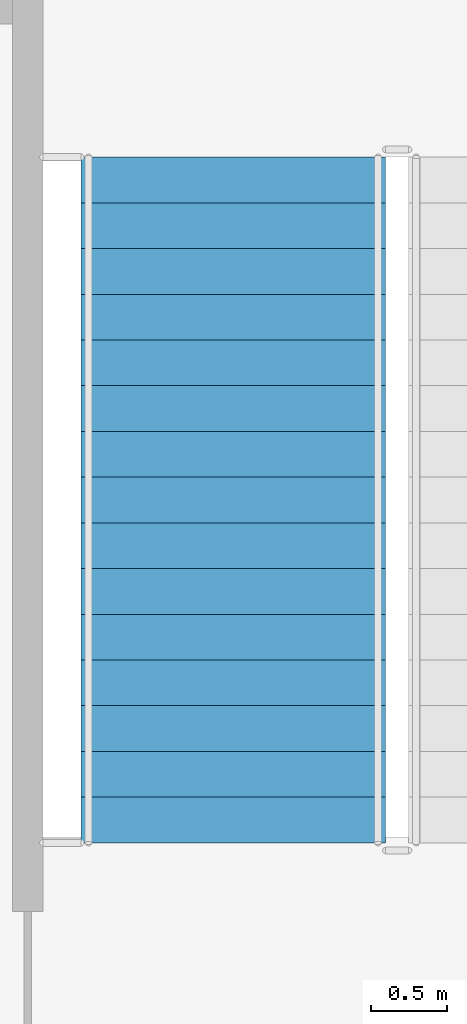
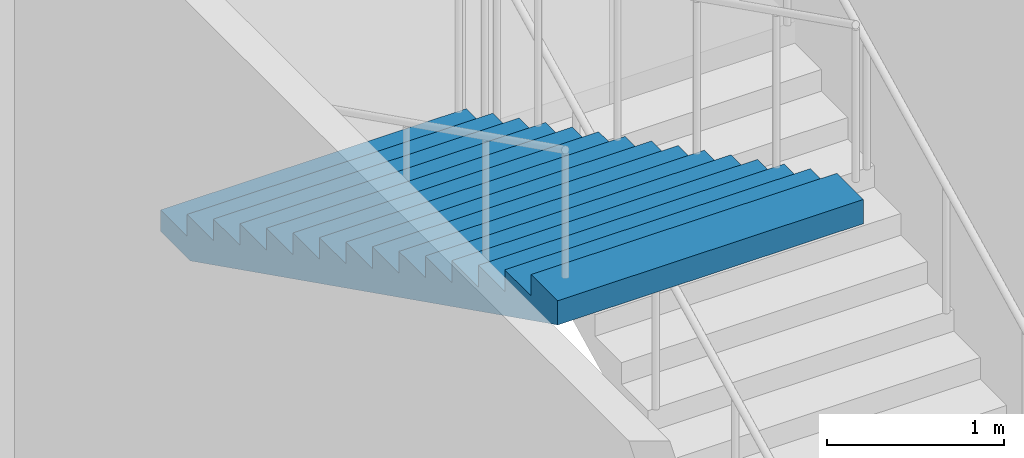
# One storey, part 56 of 91: 1 stair flight, 1 element without a shape of its own.
"""IFC4 building model written with IfcOpenShell, lengths in metres."""

from ifc_helpers import new_model, si_unit, direction, frame, origin, place, context, subcontext, project, spatial, faceted_brep, material, type_object, element, aggregate, save


model = new_model("IFC4")

# Units and contexts
model_context = context("Model", 3, precision=1e-05, world=origin(), true_north=direction((0.0, 1.0)))
body_context = subcontext(model_context, "Body", "Model", "MODEL_VIEW")
ifc_project = project(units=[si_unit("LENGTHUNIT", "METRE"), si_unit("AREAUNIT", "SQUARE_METRE"), si_unit("VOLUMEUNIT", "CUBIC_METRE"), si_unit("PLANEANGLEUNIT", "RADIAN"), si_unit("MASSUNIT", "GRAM", prefix="KILO")], contexts=[model_context])

# Site, building, storey
site_placement = place(None, origin())
site = spatial("IfcSite", under=ifc_project, at=site_placement, CompositionType="ELEMENT")
building_placement = place(site_placement, origin())
building = spatial("IfcBuilding", under=site, at=building_placement, Name="Kiln Court Media Centre", CompositionType="ELEMENT")
storey_placement = place(building_placement, frame((0.0, 0.0, 5.39990234375)))
storey = spatial("IfcBuildingStorey", under=building, at=storey_placement, Name="L01", CompositionType="ELEMENT", Elevation=5.39990234375)

# Stair, stair flight
ifc_material_1 = material(Name="Concrete C40/50", Category="concrete")
stair_type = type_object("IfcStairType", Name="Concrete C40/50 dog-leg stair 2000 wide, 150 riser", PredefinedType="HALF_TURN_STAIR", material=ifc_material_1)
stair_placement = place(storey_placement, origin())
stair = element("IfcStair", 1, at=stair_placement, inside=storey, type_object=stair_type, Name="ST-10 L01", PredefinedType="HALF_TURN_STAIR")
ifc_material_2 = material(Name="Concrete C40/50", Category="concrete")
stair_flight_type = type_object("IfcStairFlightType", Name="Concrete C40/50 stair flight 2000 wide, 150 riser, 300 going", PredefinedType="STRAIGHT", material=ifc_material_2)
stair_flight_placement = place(storey_placement, frame((97.449951171875, 32.5, 2.400146484375), z_axis=(0.0, 0.0, 1.0), x_axis=(0.0, -1.0, 0.0)))
stair_flight = element("IfcStairFlight", 2, at=stair_flight_placement, type_object=stair_flight_type, Name="L01-ST-5009 flight 5019", NumberOfRisers=16, NumberOfTreads=15, PredefinedType="STRAIGHT", RiserHeight=0.15, TreadLength=0.3, context=body_context, shape_type="Brep", body=[
    faceted_brep([(0.335205078125, -1.0, 0.0), (4.5, -1.0, 2.08251953125), (4.5, -1.0, 2.25), (4.199951171875, -1.0, 2.25), (4.199951171875, -1.0, 2.10009765625), (3.89990234375, -1.0, 2.10009765625), (3.89990234375, -1.0, 1.949951171875), (3.60009765625, -1.0, 1.949951171875), (3.60009765625, -1.0, 1.800048828125), (3.300048828125, -1.0, 1.800048828125), (3.300048828125, -1.0, 1.64990234375), (3.0, -1.0, 1.64990234375), (3.0, -1.0, 1.5), (2.699951171875, -1.0, 1.5), (2.699951171875, -1.0, 1.35009765625), (2.39990234375, -1.0, 1.35009765625), (2.39990234375, -1.0, 1.199951171875), (2.10009765625, -1.0, 1.199951171875), (2.10009765625, -1.0, 1.050048828125), (1.800048828125, -1.0, 1.050048828125), (1.800048828125, -1.0, 0.89990234375), (1.5, -1.0, 0.89990234375), (1.5, -1.0, 0.75), (1.199951171875, -1.0, 0.75), (1.199951171875, -1.0, 0.60009765625), (0.89990234375, -1.0, 0.60009765625), (0.89990234375, -1.0, 0.449951171875), (0.60009765625, -1.0, 0.449951171875), (0.60009765625, -1.0, 0.300048828125), (0.300048828125, -1.0, 0.300048828125), (0.300048828125, -1.0, 0.14990234375), (0.0, -1.0, 0.14990234375), (0.0, -1.0, 0.0), (0.0, 1.0, 0.0), (0.0, 1.0, 0.14990234375), (0.300048828125, 1.0, 0.14990234375), (0.300048828125, 1.0, 0.300048828125), (0.60009765625, 1.0, 0.300048828125), (0.60009765625, 1.0, 0.449951171875), (0.89990234375, 1.0, 0.449951171875), (0.89990234375, 1.0, 0.60009765625), (1.199951171875, 1.0, 0.60009765625), (1.199951171875, 1.0, 0.75), (1.5, 1.0, 0.75), (1.5, 1.0, 0.89990234375), (1.800048828125, 1.0, 0.89990234375), (1.800048828125, 1.0, 1.050048828125), (2.10009765625, 1.0, 1.050048828125), (2.10009765625, 1.0, 1.199951171875), (2.39990234375, 1.0, 1.199951171875), (2.39990234375, 1.0, 1.35009765625), (2.699951171875, 1.0, 1.35009765625), (2.699951171875, 1.0, 1.5), (3.0, 1.0, 1.5), (3.0, 1.0, 1.64990234375), (3.300048828125, 1.0, 1.64990234375), (3.300048828125, 1.0, 1.800048828125), (3.60009765625, 1.0, 1.800048828125), (3.60009765625, 1.0, 1.949951171875), (3.89990234375, 1.0, 1.949951171875), (3.89990234375, 1.0, 2.10009765625), (4.199951171875, 1.0, 2.10009765625), (4.199951171875, 1.0, 2.25), (4.5, 1.0, 2.25), (4.5, 1.0, 2.08251953125), (0.335205078125, 1.0, 0.0), (4.5, 0.10009765625, 2.08251953125), (0.335205078125, 0.10009765625, 0.0), (4.5, 0.080078125, 2.08251953125), (0.335205078125, 0.080078125, 0.0), (4.5, 0.06005859375, 2.08251953125), (0.335205078125, 0.06005859375, 0.0), (4.5, 0.0400390625, 2.08251953125), (0.335205078125, 0.0400390625, 0.0), (4.5, 0.02001953125, 2.08251953125), (0.335205078125, 0.02001953125, 0.0), (4.5, 0.0, 2.08251953125), (0.335205078125, 0.0, 0.0), (4.5, -0.02001953125, 2.08251953125), (0.335205078125, -0.02001953125, 0.0), (4.5, -0.0400390625, 2.08251953125), (0.335205078125, -0.0400390625, 0.0), (4.5, -0.06005859375, 2.08251953125), (0.335205078125, -0.06005859375, 0.0), (4.5, -0.080078125, 2.08251953125), (0.335205078125, -0.080078125, 0.0), (4.5, -0.10009765625, 2.08251953125), (0.335205078125, -0.10009765625, 0.0), (4.5, 0.10009765625, 2.25), (4.5, 0.080078125, 2.25), (4.5, 0.06005859375, 2.25), (4.5, 0.0400390625, 2.25), (4.5, 0.02001953125, 2.25), (4.5, 0.0, 2.25), (4.5, -0.02001953125, 2.25), (4.5, -0.0400390625, 2.25), (4.5, -0.06005859375, 2.25), (4.5, -0.080078125, 2.25), (4.5, -0.10009765625, 2.25), (4.199951171875, 0.10009765625, 2.25), (4.199951171875, 0.080078125, 2.25), (4.199951171875, 0.06005859375, 2.25), (4.199951171875, 0.0400390625, 2.25), (4.199951171875, 0.02001953125, 2.25), (4.199951171875, 0.0, 2.25), (4.199951171875, -0.02001953125, 2.25), (4.199951171875, -0.0400390625, 2.25), (4.199951171875, -0.06005859375, 2.25), (4.199951171875, -0.080078125, 2.25), (4.199951171875, -0.10009765625, 2.25), (4.199951171875, 0.10009765625, 2.10009765625), (4.199951171875, 0.080078125, 2.10009765625), (4.199951171875, 0.06005859375, 2.10009765625), (4.199951171875, 0.0400390625, 2.10009765625), (4.199951171875, 0.02001953125, 2.10009765625), (4.199951171875, 0.0, 2.10009765625), (4.199951171875, -0.02001953125, 2.10009765625), (4.199951171875, -0.0400390625, 2.10009765625), (4.199951171875, -0.06005859375, 2.10009765625), (4.199951171875, -0.080078125, 2.10009765625), (4.199951171875, -0.10009765625, 2.10009765625), (3.89990234375, 0.10009765625, 2.10009765625), (3.89990234375, 0.080078125, 2.10009765625), (3.89990234375, 0.06005859375, 2.10009765625), (3.89990234375, 0.0400390625, 2.10009765625), (3.89990234375, 0.02001953125, 2.10009765625), (3.89990234375, 0.0, 2.10009765625), (3.89990234375, -0.02001953125, 2.10009765625), (3.89990234375, -0.0400390625, 2.10009765625), (3.89990234375, -0.06005859375, 2.10009765625), (3.89990234375, -0.080078125, 2.10009765625), (3.89990234375, -0.10009765625, 2.10009765625), (3.89990234375, 0.10009765625, 1.949951171875), (3.89990234375, 0.080078125, 1.949951171875), (3.89990234375, 0.06005859375, 1.949951171875), (3.89990234375, 0.0400390625, 1.949951171875), (3.89990234375, 0.02001953125, 1.949951171875), (3.89990234375, 0.0, 1.949951171875), (3.89990234375, -0.02001953125, 1.949951171875), (3.89990234375, -0.0400390625, 1.949951171875), (3.89990234375, -0.06005859375, 1.949951171875), (3.89990234375, -0.080078125, 1.949951171875), (3.89990234375, -0.10009765625, 1.949951171875), (3.60009765625, 0.10009765625, 1.949951171875), (3.60009765625, 0.080078125, 1.949951171875), (3.60009765625, 0.06005859375, 1.949951171875), (3.60009765625, 0.0400390625, 1.949951171875), (3.60009765625, 0.02001953125, 1.949951171875), (3.60009765625, 0.0, 1.949951171875), (3.60009765625, -0.02001953125, 1.949951171875), (3.60009765625, -0.0400390625, 1.949951171875), (3.60009765625, -0.06005859375, 1.949951171875), (3.60009765625, -0.080078125, 1.949951171875), (3.60009765625, -0.10009765625, 1.949951171875), (3.60009765625, 0.10009765625, 1.800048828125), (3.60009765625, 0.080078125, 1.800048828125), (3.60009765625, 0.06005859375, 1.800048828125), (3.60009765625, 0.0400390625, 1.800048828125), (3.60009765625, 0.02001953125, 1.800048828125), (3.60009765625, 0.0, 1.800048828125), (3.60009765625, -0.02001953125, 1.800048828125), (3.60009765625, -0.0400390625, 1.800048828125), (3.60009765625, -0.06005859375, 1.800048828125), (3.60009765625, -0.080078125, 1.800048828125), (3.60009765625, -0.10009765625, 1.800048828125), (3.300048828125, 0.10009765625, 1.800048828125), (3.300048828125, 0.080078125, 1.800048828125), (3.300048828125, 0.06005859375, 1.800048828125), (3.300048828125, 0.0400390625, 1.800048828125), (3.300048828125, 0.02001953125, 1.800048828125), (3.300048828125, 0.0, 1.800048828125), (3.300048828125, -0.02001953125, 1.800048828125), (3.300048828125, -0.0400390625, 1.800048828125), (3.300048828125, -0.06005859375, 1.800048828125), (3.300048828125, -0.080078125, 1.800048828125), (3.300048828125, -0.10009765625, 1.800048828125), (3.300048828125, 0.10009765625, 1.64990234375), (3.300048828125, 0.080078125, 1.64990234375), (3.300048828125, 0.06005859375, 1.64990234375), (3.300048828125, 0.0400390625, 1.64990234375), (3.300048828125, 0.02001953125, 1.64990234375), (3.300048828125, 0.0, 1.64990234375), (3.300048828125, -0.02001953125, 1.64990234375), (3.300048828125, -0.0400390625, 1.64990234375), (3.300048828125, -0.06005859375, 1.64990234375), (3.300048828125, -0.080078125, 1.64990234375), (3.300048828125, -0.10009765625, 1.64990234375), (3.0, 0.10009765625, 1.64990234375), (3.0, 0.080078125, 1.64990234375), (3.0, 0.06005859375, 1.64990234375), (3.0, 0.0400390625, 1.64990234375), (3.0, 0.02001953125, 1.64990234375), (3.0, 0.0, 1.64990234375), (3.0, -0.02001953125, 1.64990234375), (3.0, -0.0400390625, 1.64990234375), (3.0, -0.06005859375, 1.64990234375), (3.0, -0.080078125, 1.64990234375), (3.0, -0.10009765625, 1.64990234375), (3.0, 0.10009765625, 1.5), (3.0, 0.080078125, 1.5), (3.0, 0.06005859375, 1.5), (3.0, 0.0400390625, 1.5), (3.0, 0.02001953125, 1.5), (3.0, 0.0, 1.5), (3.0, -0.02001953125, 1.5), (3.0, -0.0400390625, 1.5), (3.0, -0.06005859375, 1.5), (3.0, -0.080078125, 1.5), (3.0, -0.10009765625, 1.5), (2.699951171875, 0.10009765625, 1.5), (2.699951171875, 0.080078125, 1.5), (2.699951171875, 0.06005859375, 1.5), (2.699951171875, 0.0400390625, 1.5), (2.699951171875, 0.02001953125, 1.5), (2.699951171875, 0.0, 1.5), (2.699951171875, -0.02001953125, 1.5), (2.699951171875, -0.0400390625, 1.5), (2.699951171875, -0.06005859375, 1.5), (2.699951171875, -0.080078125, 1.5), (2.699951171875, -0.10009765625, 1.5), (2.699951171875, 0.10009765625, 1.35009765625), (2.699951171875, 0.080078125, 1.35009765625), (2.699951171875, 0.06005859375, 1.35009765625), (2.699951171875, 0.0400390625, 1.35009765625), (2.699951171875, 0.02001953125, 1.35009765625), (2.699951171875, 0.0, 1.35009765625), (2.699951171875, -0.02001953125, 1.35009765625), (2.699951171875, -0.0400390625, 1.35009765625), (2.699951171875, -0.06005859375, 1.35009765625), (2.699951171875, -0.080078125, 1.35009765625), (2.699951171875, -0.10009765625, 1.35009765625), (2.39990234375, 0.10009765625, 1.35009765625), (2.39990234375, 0.080078125, 1.35009765625), (2.39990234375, 0.06005859375, 1.35009765625), (2.39990234375, 0.0400390625, 1.35009765625), (2.39990234375, 0.02001953125, 1.35009765625), (2.39990234375, 0.0, 1.35009765625), (2.39990234375, -0.02001953125, 1.35009765625), (2.39990234375, -0.0400390625, 1.35009765625), (2.39990234375, -0.06005859375, 1.35009765625), (2.39990234375, -0.080078125, 1.35009765625), (2.39990234375, -0.10009765625, 1.35009765625), (2.39990234375, 0.10009765625, 1.199951171875), (2.39990234375, 0.080078125, 1.199951171875), (2.39990234375, 0.06005859375, 1.199951171875), (2.39990234375, 0.0400390625, 1.199951171875), (2.39990234375, 0.02001953125, 1.199951171875), (2.39990234375, 0.0, 1.199951171875), (2.39990234375, -0.02001953125, 1.199951171875), (2.39990234375, -0.0400390625, 1.199951171875), (2.39990234375, -0.06005859375, 1.199951171875), (2.39990234375, -0.080078125, 1.199951171875), (2.39990234375, -0.10009765625, 1.199951171875), (2.10009765625, 0.10009765625, 1.199951171875), (2.10009765625, 0.080078125, 1.199951171875), (2.10009765625, 0.06005859375, 1.199951171875), (2.10009765625, 0.0400390625, 1.199951171875), (2.10009765625, 0.02001953125, 1.199951171875), (2.10009765625, 0.0, 1.199951171875), (2.10009765625, -0.02001953125, 1.199951171875), (2.10009765625, -0.0400390625, 1.199951171875), (2.10009765625, -0.06005859375, 1.199951171875), (2.10009765625, -0.080078125, 1.199951171875), (2.10009765625, -0.10009765625, 1.199951171875), (2.10009765625, 0.10009765625, 1.050048828125), (2.10009765625, 0.080078125, 1.050048828125), (2.10009765625, 0.06005859375, 1.050048828125), (2.10009765625, 0.0400390625, 1.050048828125), (2.10009765625, 0.02001953125, 1.050048828125), (2.10009765625, 0.0, 1.050048828125), (2.10009765625, -0.02001953125, 1.050048828125), (2.10009765625, -0.0400390625, 1.050048828125), (2.10009765625, -0.06005859375, 1.050048828125), (2.10009765625, -0.080078125, 1.050048828125), (2.10009765625, -0.10009765625, 1.050048828125), (1.800048828125, 0.10009765625, 1.050048828125), (1.800048828125, 0.080078125, 1.050048828125), (1.800048828125, 0.06005859375, 1.050048828125), (1.800048828125, 0.0400390625, 1.050048828125), (1.800048828125, 0.02001953125, 1.050048828125), (1.800048828125, 0.0, 1.050048828125), (1.800048828125, -0.02001953125, 1.050048828125), (1.800048828125, -0.0400390625, 1.050048828125), (1.800048828125, -0.06005859375, 1.050048828125), (1.800048828125, -0.080078125, 1.050048828125), (1.800048828125, -0.10009765625, 1.050048828125), (1.800048828125, 0.10009765625, 0.89990234375), (1.800048828125, 0.080078125, 0.89990234375), (1.800048828125, 0.06005859375, 0.89990234375), (1.800048828125, 0.0400390625, 0.89990234375), (1.800048828125, 0.02001953125, 0.89990234375), (1.800048828125, 0.0, 0.89990234375), (1.800048828125, -0.02001953125, 0.89990234375), (1.800048828125, -0.0400390625, 0.89990234375), (1.800048828125, -0.06005859375, 0.89990234375), (1.800048828125, -0.080078125, 0.89990234375), (1.800048828125, -0.10009765625, 0.89990234375), (1.5, 0.10009765625, 0.89990234375), (1.5, 0.080078125, 0.89990234375), (1.5, 0.06005859375, 0.89990234375), (1.5, 0.0400390625, 0.89990234375), (1.5, 0.02001953125, 0.89990234375), (1.5, 0.0, 0.89990234375), (1.5, -0.02001953125, 0.89990234375), (1.5, -0.0400390625, 0.89990234375), (1.5, -0.06005859375, 0.89990234375), (1.5, -0.080078125, 0.89990234375), (1.5, -0.10009765625, 0.89990234375), (1.5, 0.10009765625, 0.75), (1.5, 0.080078125, 0.75), (1.5, 0.06005859375, 0.75), (1.5, 0.0400390625, 0.75), (1.5, 0.02001953125, 0.75), (1.5, 0.0, 0.75), (1.5, -0.02001953125, 0.75), (1.5, -0.0400390625, 0.75), (1.5, -0.06005859375, 0.75), (1.5, -0.080078125, 0.75), (1.5, -0.10009765625, 0.75), (1.199951171875, 0.10009765625, 0.75), (1.199951171875, 0.080078125, 0.75), (1.199951171875, 0.06005859375, 0.75), (1.199951171875, 0.0400390625, 0.75), (1.199951171875, 0.02001953125, 0.75), (1.199951171875, 0.0, 0.75), (1.199951171875, -0.02001953125, 0.75), (1.199951171875, -0.0400390625, 0.75), (1.199951171875, -0.06005859375, 0.75), (1.199951171875, -0.080078125, 0.75), (1.199951171875, -0.10009765625, 0.75), (1.199951171875, 0.10009765625, 0.60009765625), (1.199951171875, 0.080078125, 0.60009765625), (1.199951171875, 0.06005859375, 0.60009765625), (1.199951171875, 0.0400390625, 0.60009765625), (1.199951171875, 0.02001953125, 0.60009765625), (1.199951171875, 0.0, 0.60009765625), (1.199951171875, -0.02001953125, 0.60009765625), (1.199951171875, -0.0400390625, 0.60009765625), (1.199951171875, -0.06005859375, 0.60009765625), (1.199951171875, -0.080078125, 0.60009765625), (1.199951171875, -0.10009765625, 0.60009765625), (0.89990234375, 0.10009765625, 0.60009765625), (0.89990234375, 0.080078125, 0.60009765625), (0.89990234375, 0.06005859375, 0.60009765625), (0.89990234375, 0.0400390625, 0.60009765625), (0.89990234375, 0.02001953125, 0.60009765625), (0.89990234375, 0.0, 0.60009765625), (0.89990234375, -0.02001953125, 0.60009765625), (0.89990234375, -0.0400390625, 0.60009765625), (0.89990234375, -0.06005859375, 0.60009765625), (0.89990234375, -0.080078125, 0.60009765625), (0.89990234375, -0.10009765625, 0.60009765625), (0.89990234375, 0.10009765625, 0.449951171875), (0.89990234375, 0.080078125, 0.449951171875), (0.89990234375, 0.06005859375, 0.449951171875), (0.89990234375, 0.0400390625, 0.449951171875), (0.89990234375, 0.02001953125, 0.449951171875), (0.89990234375, 0.0, 0.449951171875), (0.89990234375, -0.02001953125, 0.449951171875), (0.89990234375, -0.0400390625, 0.449951171875), (0.89990234375, -0.06005859375, 0.449951171875), (0.89990234375, -0.080078125, 0.449951171875), (0.89990234375, -0.10009765625, 0.449951171875), (0.60009765625, 0.10009765625, 0.449951171875), (0.60009765625, 0.080078125, 0.449951171875), (0.60009765625, 0.06005859375, 0.449951171875), (0.60009765625, 0.0400390625, 0.449951171875), (0.60009765625, 0.02001953125, 0.449951171875), (0.60009765625, 0.0, 0.449951171875), (0.60009765625, -0.02001953125, 0.449951171875), (0.60009765625, -0.0400390625, 0.449951171875), (0.60009765625, -0.06005859375, 0.449951171875), (0.60009765625, -0.080078125, 0.449951171875), (0.60009765625, -0.10009765625, 0.449951171875), (0.60009765625, 0.10009765625, 0.300048828125), (0.60009765625, 0.080078125, 0.300048828125), (0.60009765625, 0.06005859375, 0.300048828125), (0.60009765625, 0.0400390625, 0.300048828125), (0.60009765625, 0.02001953125, 0.300048828125), (0.60009765625, 0.0, 0.300048828125), (0.60009765625, -0.02001953125, 0.300048828125), (0.60009765625, -0.0400390625, 0.300048828125), (0.60009765625, -0.06005859375, 0.300048828125), (0.60009765625, -0.080078125, 0.300048828125), (0.60009765625, -0.10009765625, 0.300048828125), (0.300048828125, 0.10009765625, 0.300048828125), (0.300048828125, 0.080078125, 0.300048828125), (0.300048828125, 0.06005859375, 0.300048828125), (0.300048828125, 0.0400390625, 0.300048828125), (0.300048828125, 0.02001953125, 0.300048828125), (0.300048828125, 0.0, 0.300048828125), (0.300048828125, -0.02001953125, 0.300048828125), (0.300048828125, -0.0400390625, 0.300048828125), (0.300048828125, -0.06005859375, 0.300048828125), (0.300048828125, -0.080078125, 0.300048828125), (0.300048828125, -0.10009765625, 0.300048828125), (0.300048828125, 0.10009765625, 0.14990234375), (0.300048828125, 0.080078125, 0.14990234375), (0.300048828125, 0.06005859375, 0.14990234375), (0.300048828125, 0.0400390625, 0.14990234375), (0.300048828125, 0.02001953125, 0.14990234375), (0.300048828125, 0.0, 0.14990234375), (0.300048828125, -0.02001953125, 0.14990234375), (0.300048828125, -0.0400390625, 0.14990234375), (0.300048828125, -0.06005859375, 0.14990234375), (0.300048828125, -0.080078125, 0.14990234375), (0.300048828125, -0.10009765625, 0.14990234375), (0.0, 0.10009765625, 0.14990234375), (0.0, 0.080078125, 0.14990234375), (0.0, 0.06005859375, 0.14990234375), (0.0, 0.0400390625, 0.14990234375), (0.0, 0.02001953125, 0.14990234375), (0.0, 0.0, 0.14990234375), (0.0, -0.02001953125, 0.14990234375), (0.0, -0.0400390625, 0.14990234375), (0.0, -0.06005859375, 0.14990234375), (0.0, -0.080078125, 0.14990234375), (0.0, -0.10009765625, 0.14990234375), (0.0, 0.10009765625, 0.0), (0.0, 0.080078125, 0.0), (0.0, 0.06005859375, 0.0), (0.0, 0.0400390625, 0.0), (0.0, 0.02001953125, 0.0), (0.0, 0.0, 0.0), (0.0, -0.02001953125, 0.0), (0.0, -0.0400390625, 0.0), (0.0, -0.06005859375, 0.0), (0.0, -0.080078125, 0.0), (0.0, -0.10009765625, 0.0)], [[[0, 1, 2, 3, 4, 5, 6, 7, 8, 9, 10, 11, 12, 13, 14, 15, 16, 17, 18, 19, 20, 21, 22, 23, 24, 25, 26, 27, 28, 29, 30, 31, 32]], [[33, 34, 35, 36, 37, 38, 39, 40, 41, 42, 43, 44, 45, 46, 47, 48, 49, 50, 51, 52, 53, 54, 55, 56, 57, 58, 59, 60, 61, 62, 63, 64, 65]], [[65, 64, 66, 67]], [[67, 66, 68, 69]], [[69, 68, 70, 71]], [[71, 70, 72, 73]], [[73, 72, 74, 75]], [[75, 74, 76, 77]], [[77, 76, 78, 79]], [[79, 78, 80, 81]], [[81, 80, 82, 83]], [[83, 82, 84, 85]], [[85, 84, 86, 87]], [[87, 86, 1, 0]], [[64, 63, 88, 66]], [[66, 88, 89, 68]], [[68, 89, 90, 70]], [[70, 90, 91, 72]], [[72, 91, 92, 74]], [[74, 92, 93, 76]], [[76, 93, 94, 78]], [[78, 94, 95, 80]], [[80, 95, 96, 82]], [[82, 96, 97, 84]], [[84, 97, 98, 86]], [[86, 98, 2, 1]], [[63, 62, 99, 88]], [[88, 99, 100, 89]], [[89, 100, 101, 90]], [[90, 101, 102, 91]], [[91, 102, 103, 92]], [[92, 103, 104, 93]], [[93, 104, 105, 94]], [[94, 105, 106, 95]], [[95, 106, 107, 96]], [[96, 107, 108, 97]], [[97, 108, 109, 98]], [[98, 109, 3, 2]], [[62, 61, 110, 99]], [[99, 110, 111, 100]], [[100, 111, 112, 101]], [[101, 112, 113, 102]], [[102, 113, 114, 103]], [[103, 114, 115, 104]], [[104, 115, 116, 105]], [[105, 116, 117, 106]], [[106, 117, 118, 107]], [[107, 118, 119, 108]], [[108, 119, 120, 109]], [[109, 120, 4, 3]], [[61, 60, 121, 110]], [[110, 121, 122, 111]], [[111, 122, 123, 112]], [[112, 123, 124, 113]], [[113, 124, 125, 114]], [[114, 125, 126, 115]], [[115, 126, 127, 116]], [[116, 127, 128, 117]], [[117, 128, 129, 118]], [[118, 129, 130, 119]], [[119, 130, 131, 120]], [[120, 131, 5, 4]], [[60, 59, 132, 121]], [[121, 132, 133, 122]], [[122, 133, 134, 123]], [[123, 134, 135, 124]], [[124, 135, 136, 125]], [[125, 136, 137, 126]], [[126, 137, 138, 127]], [[127, 138, 139, 128]], [[128, 139, 140, 129]], [[129, 140, 141, 130]], [[130, 141, 142, 131]], [[131, 142, 6, 5]], [[59, 58, 143, 132]], [[132, 143, 144, 133]], [[133, 144, 145, 134]], [[134, 145, 146, 135]], [[135, 146, 147, 136]], [[136, 147, 148, 137]], [[137, 148, 149, 138]], [[138, 149, 150, 139]], [[139, 150, 151, 140]], [[140, 151, 152, 141]], [[141, 152, 153, 142]], [[142, 153, 7, 6]], [[58, 57, 154, 143]], [[143, 154, 155, 144]], [[144, 155, 156, 145]], [[145, 156, 157, 146]], [[146, 157, 158, 147]], [[147, 158, 159, 148]], [[148, 159, 160, 149]], [[149, 160, 161, 150]], [[150, 161, 162, 151]], [[151, 162, 163, 152]], [[152, 163, 164, 153]], [[153, 164, 8, 7]], [[57, 56, 165, 154]], [[154, 165, 166, 155]], [[155, 166, 167, 156]], [[156, 167, 168, 157]], [[157, 168, 169, 158]], [[158, 169, 170, 159]], [[159, 170, 171, 160]], [[160, 171, 172, 161]], [[161, 172, 173, 162]], [[162, 173, 174, 163]], [[163, 174, 175, 164]], [[164, 175, 9, 8]], [[56, 55, 176, 165]], [[165, 176, 177, 166]], [[166, 177, 178, 167]], [[167, 178, 179, 168]], [[168, 179, 180, 169]], [[169, 180, 181, 170]], [[170, 181, 182, 171]], [[171, 182, 183, 172]], [[172, 183, 184, 173]], [[173, 184, 185, 174]], [[174, 185, 186, 175]], [[175, 186, 10, 9]], [[55, 54, 187, 176]], [[176, 187, 188, 177]], [[177, 188, 189, 178]], [[178, 189, 190, 179]], [[179, 190, 191, 180]], [[180, 191, 192, 181]], [[181, 192, 193, 182]], [[182, 193, 194, 183]], [[183, 194, 195, 184]], [[184, 195, 196, 185]], [[185, 196, 197, 186]], [[186, 197, 11, 10]], [[54, 53, 198, 187]], [[187, 198, 199, 188]], [[188, 199, 200, 189]], [[189, 200, 201, 190]], [[190, 201, 202, 191]], [[191, 202, 203, 192]], [[192, 203, 204, 193]], [[193, 204, 205, 194]], [[194, 205, 206, 195]], [[195, 206, 207, 196]], [[196, 207, 208, 197]], [[197, 208, 12, 11]], [[53, 52, 209, 198]], [[198, 209, 210, 199]], [[199, 210, 211, 200]], [[200, 211, 212, 201]], [[201, 212, 213, 202]], [[202, 213, 214, 203]], [[203, 214, 215, 204]], [[204, 215, 216, 205]], [[205, 216, 217, 206]], [[206, 217, 218, 207]], [[207, 218, 219, 208]], [[208, 219, 13, 12]], [[52, 51, 220, 209]], [[209, 220, 221, 210]], [[210, 221, 222, 211]], [[211, 222, 223, 212]], [[212, 223, 224, 213]], [[213, 224, 225, 214]], [[214, 225, 226, 215]], [[215, 226, 227, 216]], [[216, 227, 228, 217]], [[217, 228, 229, 218]], [[218, 229, 230, 219]], [[219, 230, 14, 13]], [[51, 50, 231, 220]], [[220, 231, 232, 221]], [[221, 232, 233, 222]], [[222, 233, 234, 223]], [[223, 234, 235, 224]], [[224, 235, 236, 225]], [[225, 236, 237, 226]], [[226, 237, 238, 227]], [[227, 238, 239, 228]], [[228, 239, 240, 229]], [[229, 240, 241, 230]], [[230, 241, 15, 14]], [[50, 49, 242, 231]], [[231, 242, 243, 232]], [[232, 243, 244, 233]], [[233, 244, 245, 234]], [[234, 245, 246, 235]], [[235, 246, 247, 236]], [[236, 247, 248, 237]], [[237, 248, 249, 238]], [[238, 249, 250, 239]], [[239, 250, 251, 240]], [[240, 251, 252, 241]], [[241, 252, 16, 15]], [[49, 48, 253, 242]], [[242, 253, 254, 243]], [[243, 254, 255, 244]], [[244, 255, 256, 245]], [[245, 256, 257, 246]], [[246, 257, 258, 247]], [[247, 258, 259, 248]], [[248, 259, 260, 249]], [[249, 260, 261, 250]], [[250, 261, 262, 251]], [[251, 262, 263, 252]], [[252, 263, 17, 16]], [[48, 47, 264, 253]], [[253, 264, 265, 254]], [[254, 265, 266, 255]], [[255, 266, 267, 256]], [[256, 267, 268, 257]], [[257, 268, 269, 258]], [[258, 269, 270, 259]], [[259, 270, 271, 260]], [[260, 271, 272, 261]], [[261, 272, 273, 262]], [[262, 273, 274, 263]], [[263, 274, 18, 17]], [[47, 46, 275, 264]], [[264, 275, 276, 265]], [[265, 276, 277, 266]], [[266, 277, 278, 267]], [[267, 278, 279, 268]], [[268, 279, 280, 269]], [[269, 280, 281, 270]], [[270, 281, 282, 271]], [[271, 282, 283, 272]], [[272, 283, 284, 273]], [[273, 284, 285, 274]], [[274, 285, 19, 18]], [[46, 45, 286, 275]], [[275, 286, 287, 276]], [[276, 287, 288, 277]], [[277, 288, 289, 278]], [[278, 289, 290, 279]], [[279, 290, 291, 280]], [[280, 291, 292, 281]], [[281, 292, 293, 282]], [[282, 293, 294, 283]], [[283, 294, 295, 284]], [[284, 295, 296, 285]], [[285, 296, 20, 19]], [[45, 44, 297, 286]], [[286, 297, 298, 287]], [[287, 298, 299, 288]], [[288, 299, 300, 289]], [[289, 300, 301, 290]], [[290, 301, 302, 291]], [[291, 302, 303, 292]], [[292, 303, 304, 293]], [[293, 304, 305, 294]], [[294, 305, 306, 295]], [[295, 306, 307, 296]], [[296, 307, 21, 20]], [[44, 43, 308, 297]], [[297, 308, 309, 298]], [[298, 309, 310, 299]], [[299, 310, 311, 300]], [[300, 311, 312, 301]], [[301, 312, 313, 302]], [[302, 313, 314, 303]], [[303, 314, 315, 304]], [[304, 315, 316, 305]], [[305, 316, 317, 306]], [[306, 317, 318, 307]], [[307, 318, 22, 21]], [[43, 42, 319, 308]], [[308, 319, 320, 309]], [[309, 320, 321, 310]], [[310, 321, 322, 311]], [[311, 322, 323, 312]], [[312, 323, 324, 313]], [[313, 324, 325, 314]], [[314, 325, 326, 315]], [[315, 326, 327, 316]], [[316, 327, 328, 317]], [[317, 328, 329, 318]], [[318, 329, 23, 22]], [[42, 41, 330, 319]], [[319, 330, 331, 320]], [[320, 331, 332, 321]], [[321, 332, 333, 322]], [[322, 333, 334, 323]], [[323, 334, 335, 324]], [[324, 335, 336, 325]], [[325, 336, 337, 326]], [[326, 337, 338, 327]], [[327, 338, 339, 328]], [[328, 339, 340, 329]], [[329, 340, 24, 23]], [[41, 40, 341, 330]], [[330, 341, 342, 331]], [[331, 342, 343, 332]], [[332, 343, 344, 333]], [[333, 344, 345, 334]], [[334, 345, 346, 335]], [[335, 346, 347, 336]], [[336, 347, 348, 337]], [[337, 348, 349, 338]], [[338, 349, 350, 339]], [[339, 350, 351, 340]], [[340, 351, 25, 24]], [[40, 39, 352, 341]], [[341, 352, 353, 342]], [[342, 353, 354, 343]], [[343, 354, 355, 344]], [[344, 355, 356, 345]], [[345, 356, 357, 346]], [[346, 357, 358, 347]], [[347, 358, 359, 348]], [[348, 359, 360, 349]], [[349, 360, 361, 350]], [[350, 361, 362, 351]], [[351, 362, 26, 25]], [[39, 38, 363, 352]], [[352, 363, 364, 353]], [[353, 364, 365, 354]], [[354, 365, 366, 355]], [[355, 366, 367, 356]], [[356, 367, 368, 357]], [[357, 368, 369, 358]], [[358, 369, 370, 359]], [[359, 370, 371, 360]], [[360, 371, 372, 361]], [[361, 372, 373, 362]], [[362, 373, 27, 26]], [[38, 37, 374, 363]], [[363, 374, 375, 364]], [[364, 375, 376, 365]], [[365, 376, 377, 366]], [[366, 377, 378, 367]], [[367, 378, 379, 368]], [[368, 379, 380, 369]], [[369, 380, 381, 370]], [[370, 381, 382, 371]], [[371, 382, 383, 372]], [[372, 383, 384, 373]], [[373, 384, 28, 27]], [[37, 36, 385, 374]], [[374, 385, 386, 375]], [[375, 386, 387, 376]], [[376, 387, 388, 377]], [[377, 388, 389, 378]], [[378, 389, 390, 379]], [[379, 390, 391, 380]], [[380, 391, 392, 381]], [[381, 392, 393, 382]], [[382, 393, 394, 383]], [[383, 394, 395, 384]], [[384, 395, 29, 28]], [[36, 35, 396, 385]], [[385, 396, 397, 386]], [[386, 397, 398, 387]], [[387, 398, 399, 388]], [[388, 399, 400, 389]], [[389, 400, 401, 390]], [[390, 401, 402, 391]], [[391, 402, 403, 392]], [[392, 403, 404, 393]], [[393, 404, 405, 394]], [[394, 405, 406, 395]], [[395, 406, 30, 29]], [[35, 34, 407, 396]], [[396, 407, 408, 397]], [[397, 408, 409, 398]], [[398, 409, 410, 399]], [[399, 410, 411, 400]], [[400, 411, 412, 401]], [[401, 412, 413, 402]], [[402, 413, 414, 403]], [[403, 414, 415, 404]], [[404, 415, 416, 405]], [[405, 416, 417, 406]], [[406, 417, 31, 30]], [[34, 33, 418, 407]], [[407, 418, 419, 408]], [[408, 419, 420, 409]], [[409, 420, 421, 410]], [[410, 421, 422, 411]], [[411, 422, 423, 412]], [[412, 423, 424, 413]], [[413, 424, 425, 414]], [[414, 425, 426, 415]], [[415, 426, 427, 416]], [[416, 427, 428, 417]], [[417, 428, 32, 31]], [[33, 65, 67, 418]], [[418, 67, 69, 419]], [[419, 69, 71, 420]], [[420, 71, 73, 421]], [[421, 73, 75, 422]], [[422, 75, 77, 423]], [[423, 77, 79, 424]], [[424, 79, 81, 425]], [[425, 81, 83, 426]], [[426, 83, 85, 427]], [[427, 85, 87, 428]], [[428, 87, 0, 32]]]),
])
aggregate(stair, [stair_flight])

save(model, "model.ifc")
